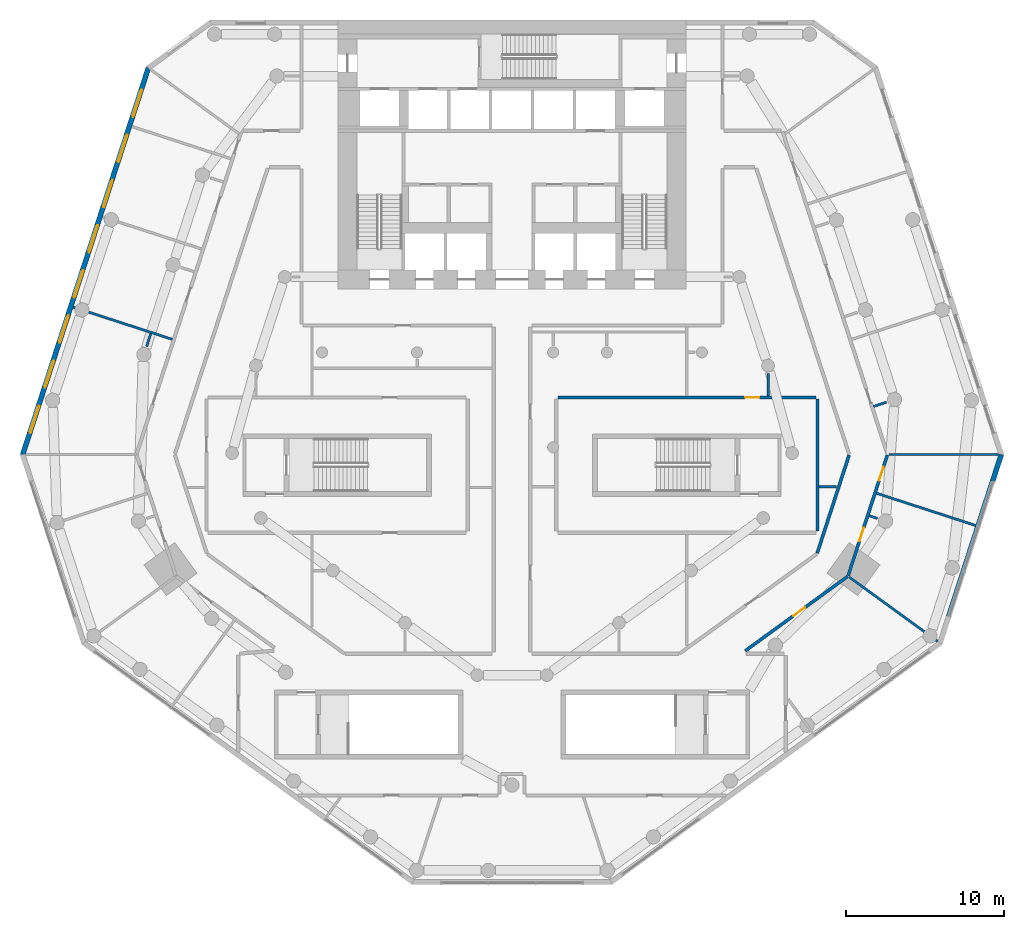
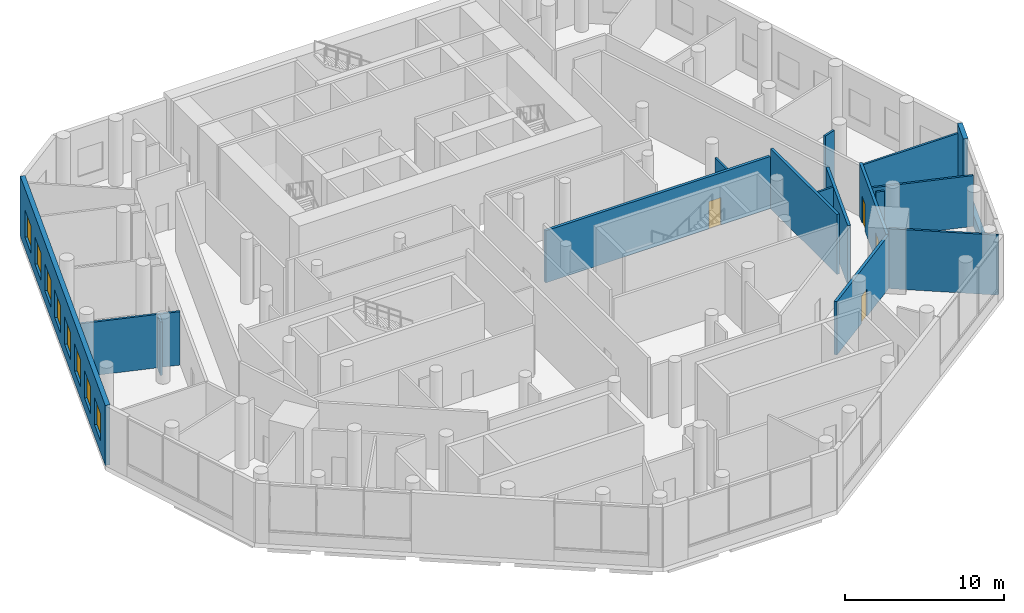
# One storey, part 9 of 15: 17 walls, 8 windows, 4 doors, 12 openings.
"""IFC4 building model written with IfcOpenShell, lengths in metres."""

from ifc_helpers import new_model, si_unit, direction, frame, frame_2d, origin, place, context, subcontext, project, spatial, rectangle, extrude, material, layer, layer_set, type_object, element, fill, save


model = new_model("IFC4")

# Units and contexts
model_context = context("Model", 3, precision=1e-05, world=origin(), true_north=direction((0.0, 1.0)))
body_context = subcontext(model_context, "Body", "Model", "MODEL_VIEW")
ifc_project = project(units=[si_unit("LENGTHUNIT", "METRE"), si_unit("AREAUNIT", "SQUARE_METRE"), si_unit("VOLUMEUNIT", "CUBIC_METRE"), si_unit("PLANEANGLEUNIT", "RADIAN"), si_unit("MASSUNIT", "GRAM", prefix="KILO")], contexts=[model_context])

# Site, building, storey
site_placement = place(None, origin())
site = spatial("IfcSite", under=ifc_project, at=site_placement, CompositionType="ELEMENT")
building_placement = place(site_placement, origin())
building = spatial("IfcBuilding", under=site, at=building_placement, Name="White Candle Pilgrim Tower", CompositionType="ELEMENT")
storey_placement = place(building_placement, frame((0.0, 0.0, 34.0)))
storey = spatial("IfcBuildingStorey", under=building, at=storey_placement, Name="L05", CompositionType="ELEMENT", Elevation=34.0)

# Wall, openings, doors
ifc_material_1 = material(Name="Gypsum board on steel studs", Category="steel")
ifc_layer_1 = layer(ifc_material_1, 0.199951171875)
ifc_layer_set_1 = layer_set([ifc_layer_1], Name="Corridor wall 200 mm EI 45")
wall_type_1 = type_object("IfcWallType", Name="Corridor wall 200 mm EI 45", PredefinedType="PARTITIONING", material=ifc_layer_set_1)
wall_1_placement = place(storey_placement, frame((93.720947265625, 60.50830078125, 0.0), z_axis=(0.0, 0.0, 1.0), x_axis=(-0.309030308026, -0.951052190325, 0.0)))
wall_1 = element("IfcWall", 1, at=wall_1_placement, inside=storey, type_object=wall_type_1, Name="WL-L05-P011", PredefinedType="PARTITIONING", context=body_context, shape_type="SweptSolid", body=[
    extrude(rectangle(XDim=8.018798828125, YDim=0.199951171875, at=frame_2d((4.00927734375, 0.0))), origin(), (0.0, 0.0, 1.0), 4.10009765625),
])
opening_1_placement = place(wall_1_placement, frame((4.830078125, 0.0, 0.0)))
opening_1 = element("IfcOpeningElement", 2, at=opening_1_placement, cuts=wall_1, Name="Opening L05-114", PredefinedType="OPENING", context=body_context, shape_type="SweptSolid", body=[
    extrude(rectangle(XDim=0.89990234375, YDim=2.10009765625, at=frame_2d((0.449951171875, 1.050048828125))), frame((0.0, 0.10986328125, 0.0), z_axis=(0.0, -1.0, 0.0), x_axis=(1.0, 0.0, 0.0)), (0.0, 0.0, 1.0), 0.219970703125),
])
opening_2_placement = place(wall_1_placement, frame((0.788330078125, 0.0, 0.0)))
opening_2 = element("IfcOpeningElement", 3, at=opening_2_placement, cuts=wall_1, Name="Opening L05-115", PredefinedType="OPENING", context=body_context, shape_type="SweptSolid", body=[
    extrude(rectangle(XDim=0.89990234375, YDim=2.10009765625, at=frame_2d((0.449951171875, 1.050048828125))), frame((0.0, 0.10986328125, 0.0), z_axis=(0.0, -1.0, 0.0), x_axis=(1.0, 0.0, 0.0)), (0.0, 0.0, 1.0), 0.219970703125),
])
ifc_material_2 = material(Name="Steel door leaf", Category="steel")
door_type = type_object("IfcDoorType", Name="Fire door 900 x 2100 EI 30", OperationType="NOTDEFINED", PredefinedType="DOOR", material=ifc_material_2)
door_1_placement = place(opening_1_placement, origin())
door_1 = element("IfcDoor", 4, at=door_1_placement, inside=storey, type_object=door_type, Name="Door L05-114", OperationType="SINGLE_SWING_RIGHT", OverallHeight=2.10009765625, OverallWidth=0.89990234375, PredefinedType="DOOR", context=body_context, shape_type="SweptSolid", body=[
    extrude(rectangle(XDim=0.89990234375, YDim=2.10009765625, at=frame_2d((0.449951171875, 1.050048828125))), frame((0.0, 0.02490234375, 0.0), z_axis=(0.0, -1.0, 0.0), x_axis=(1.0, 0.0, 0.0)), (0.0, 0.0, 1.0), 0.050048828125),
])
fill(opening_1, door_1)
door_2_placement = place(opening_2_placement, origin())
door_2 = element("IfcDoor", 5, at=door_2_placement, inside=storey, type_object=door_type, Name="Door L05-115", OperationType="SINGLE_SWING_LEFT", OverallHeight=2.10009765625, OverallWidth=0.89990234375, PredefinedType="DOOR", context=body_context, shape_type="SweptSolid", body=[
    extrude(rectangle(XDim=0.89990234375, YDim=2.10009765625, at=frame_2d((0.449951171875, 1.050048828125))), frame((0.0, 0.02490234375, 0.0), z_axis=(0.0, -1.0, 0.0), x_axis=(1.0, 0.0, 0.0)), (0.0, 0.0, 1.0), 0.050048828125),
])
fill(opening_2, door_2)

# Wall, opening, door
wall_2_placement = place(storey_placement, frame((91.206787109375, 52.83203125, 0.0), z_axis=(0.0, 0.0, 1.0), x_axis=(-0.809021104528, -0.58777959511, 0.0)))
wall_2 = element("IfcWall", 6, at=wall_2_placement, inside=storey, type_object=wall_type_1, Name="WL-L05-P012", PredefinedType="PARTITIONING", context=body_context, shape_type="SweptSolid", body=[
    extrude(rectangle(XDim=7.998291015625, YDim=0.199951171875, at=frame_2d((3.9990234375, 0.0))), origin(), (0.0, 0.0, 1.0), 4.10009765625),
])
opening_3_placement = place(wall_2_placement, frame((3.329833984375, 0.0, 0.0)))
opening_3 = element("IfcOpeningElement", 7, at=opening_3_placement, cuts=wall_2, Name="Opening L05-113", PredefinedType="OPENING", context=body_context, shape_type="SweptSolid", body=[
    extrude(rectangle(XDim=0.89990234375, YDim=2.10009765625, at=frame_2d((0.449951171875, 1.050048828125))), frame((0.0, 0.10986328125, 0.0), z_axis=(0.0, -1.0, 0.0), x_axis=(1.0, 0.0, 0.0)), (0.0, 0.0, 1.0), 0.219970703125),
])
door_3_placement = place(opening_3_placement, origin())
door_3 = element("IfcDoor", 8, at=door_3_placement, inside=storey, type_object=door_type, Name="Door L05-113", OperationType="SINGLE_SWING_LEFT", OverallHeight=2.10009765625, OverallWidth=0.89990234375, PredefinedType="DOOR", context=body_context, shape_type="SweptSolid", body=[
    extrude(rectangle(XDim=0.89990234375, YDim=2.10009765625, at=frame_2d((0.449951171875, 1.050048828125))), frame((0.0, 0.02490234375, 0.0), z_axis=(0.0, -1.0, 0.0), x_axis=(1.0, 0.0, 0.0)), (0.0, 0.0, 1.0), 0.050048828125),
])
fill(opening_3, door_3)

# Wall
wall_3_placement = place(storey_placement, frame((89.28662109375, 54.3037109375, 0.0), z_axis=(0.0, 0.0, 1.0), x_axis=(0.308999759659, 0.951062116021, 0.0)))
element("IfcWall", 9, at=wall_3_placement, inside=storey, type_object=wall_type_1, Name="WL-L05-P020", PredefinedType="PARTITIONING", context=body_context, shape_type="SweptSolid", body=[
    extrude(rectangle(XDim=6.52392578125, YDim=0.199951171875, at=frame_2d((3.261962890625, 0.0))), origin(), (0.0, 0.0, 1.0), 4.60009765625),
])

# Wall, opening, door
wall_4_placement = place(storey_placement, frame((72.89990234375, 64.14990234375, 0.0), z_axis=(0.0, 0.0, 1.0), x_axis=(1.0, 0.0, 0.0)))
wall_4 = element("IfcWall", 10, at=wall_4_placement, inside=storey, type_object=wall_type_1, Name="WL-L05-P036", PredefinedType="PARTITIONING", context=body_context, shape_type="SweptSolid", body=[
    extrude(rectangle(XDim=16.300048828125, YDim=0.199951171875, at=frame_2d((8.14990234375, 0.0))), origin(), (0.0, 0.0, 1.0), 4.0),
])
opening_4_placement = place(wall_4_placement, frame((11.82666015625, 0.0, 0.0)))
opening_4 = element("IfcOpeningElement", 11, at=opening_4_placement, cuts=wall_4, Name="Opening L05-127", PredefinedType="OPENING", context=body_context, shape_type="SweptSolid", body=[
    extrude(rectangle(XDim=0.89990234375, YDim=2.10009765625, at=frame_2d((0.449951171875, 1.050048828125))), frame((0.0, 0.10986328125, 0.0), z_axis=(0.0, -1.0, 0.0), x_axis=(1.0, 0.0, 0.0)), (0.0, 0.0, 1.0), 0.219970703125),
])
door_4_placement = place(opening_4_placement, origin())
door_4 = element("IfcDoor", 12, at=door_4_placement, inside=storey, type_object=door_type, Name="Door L05-127", OperationType="SINGLE_SWING_LEFT", OverallHeight=2.10009765625, OverallWidth=0.89990234375, PredefinedType="DOOR", context=body_context, shape_type="SweptSolid", body=[
    extrude(rectangle(XDim=0.89990234375, YDim=2.10009765625, at=frame_2d((0.449951171875, 1.050048828125))), frame((0.0, 0.02490234375, 0.0), z_axis=(0.0, -1.0, 0.0), x_axis=(1.0, 0.0, 0.0)), (0.0, 0.0, 1.0), 0.050048828125),
])
fill(opening_4, door_4)

# Walls
wall_5_placement = place(storey_placement, frame((89.300048828125, 64.050048828125, 0.0), z_axis=(0.0, 0.0, 1.0), x_axis=(0.0, -1.0, 0.0)))
element("IfcWall", 13, at=wall_5_placement, inside=storey, type_object=wall_type_1, Name="WL-L05-P037", PredefinedType="PARTITIONING", context=body_context, shape_type="SweptSolid", body=[
    extrude(rectangle(XDim=8.35009765625, YDim=0.199951171875, at=frame_2d((4.175048828125, 0.0))), origin(), (0.0, 0.0, 1.0), 4.60009765625),
])
ifc_material_3 = material(Name="Precast concrete C40/50", Category="concrete")
ifc_layer_2 = layer(ifc_material_3, 0.320068359375)
ifc_layer_set_2 = layer_set([ifc_layer_2], Name="Facade wall EW3 precast concrete C40/50 and stone-faced podium wall")
wall_type_2 = type_object("IfcWallType", Name="Facade wall EW3 precast concrete C40/50 and stone-faced podium wall", PredefinedType="SOLIDWALL", material=ifc_layer_set_2)
wall_6_placement = place(storey_placement, frame((97.5966796875, 50.3017578125, 0.0), z_axis=(0.0, 0.0, 1.0), x_axis=(0.309000197986, 0.951061973609, 0.0)))
element("IfcWall", 14, at=wall_6_placement, inside=storey, type_object=wall_type_2, Name="Sill wall L05 E chamfer", PredefinedType="SOLIDWALL", context=body_context, shape_type="SweptSolid", body=[
    extrude(rectangle(XDim=9.0, YDim=0.320068359375, at=frame_2d((4.5, 0.0))), origin(), (0.0, 0.0, 1.0), 0.89990234375),
])
wall_7_placement = place(storey_placement, frame((100.377685546875, 58.861328125, 0.0), z_axis=(0.0, 0.0, 1.0), x_axis=(0.309036002497, 0.951050339972, 0.0)))
element("IfcWall", 15, at=wall_7_placement, inside=storey, type_object=wall_type_2, Name="Facade wall L05 E chamfer", PredefinedType="SOLIDWALL", context=body_context, shape_type="SweptSolid", body=[
    extrude(rectangle(XDim=1.76416015625, YDim=0.320068359375, at=frame_2d((0.882080078125, 0.0))), origin(), (0.0, 0.0, 1.0), 4.60009765625),
])

# Wall, openings, windows
wall_8_placement = place(storey_placement, frame((47.01708984375, 84.975830078125, 0.0), z_axis=(0.0, 0.0, 1.0), x_axis=(-0.309015385889, -0.951057038922, 0.0)))
wall_8 = element("IfcWall", 16, at=wall_8_placement, inside=storey, type_object=wall_type_2, Name="Facade wall L05 WNW", PredefinedType="SOLIDWALL", context=body_context, shape_type="SweptSolid", body=[
    extrude(rectangle(XDim=25.6943359375, YDim=0.320068359375, at=frame_2d((12.84716796875, 0.0))), origin(), (0.0, 0.0, 1.0), 4.60009765625),
])
opening_5_placement = place(wall_8_placement, frame((1.447265625, 0.0, 0.89990234375)))
opening_5 = element("IfcOpeningElement", 17, at=opening_5_placement, cuts=wall_8, Name="Opening W8", PredefinedType="OPENING", context=body_context, shape_type="SweptSolid", body=[
    extrude(rectangle(XDim=1.800048828125, YDim=2.10009765625, at=frame_2d((0.89990234375, 1.050048828125))), frame((0.0, 0.169921875, 0.0), z_axis=(0.0, -1.0, 0.0), x_axis=(1.0, 0.0, 0.0)), (0.0, 0.0, 1.0), 0.340087890625),
])
opening_6_placement = place(wall_8_placement, frame((4.447265625, 0.0, 0.89990234375)))
opening_6 = element("IfcOpeningElement", 18, at=opening_6_placement, cuts=wall_8, Name="Opening W8", PredefinedType="OPENING", context=body_context, shape_type="SweptSolid", body=[
    extrude(rectangle(XDim=1.800048828125, YDim=2.10009765625, at=frame_2d((0.89990234375, 1.050048828125))), frame((0.0, 0.169921875, 0.0), z_axis=(0.0, -1.0, 0.0), x_axis=(1.0, 0.0, 0.0)), (0.0, 0.0, 1.0), 0.340087890625),
])
opening_7_placement = place(wall_8_placement, frame((7.447265625, 0.0, 0.89990234375)))
opening_7 = element("IfcOpeningElement", 19, at=opening_7_placement, cuts=wall_8, Name="Opening W8", PredefinedType="OPENING", context=body_context, shape_type="SweptSolid", body=[
    extrude(rectangle(XDim=1.800048828125, YDim=2.10009765625, at=frame_2d((0.89990234375, 1.050048828125))), frame((0.0, 0.169921875, 0.0), z_axis=(0.0, -1.0, 0.0), x_axis=(1.0, 0.0, 0.0)), (0.0, 0.0, 1.0), 0.340087890625),
])
opening_8_placement = place(wall_8_placement, frame((10.447265625, 0.0, 0.89990234375)))
opening_8 = element("IfcOpeningElement", 20, at=opening_8_placement, cuts=wall_8, Name="Opening W8", PredefinedType="OPENING", context=body_context, shape_type="SweptSolid", body=[
    extrude(rectangle(XDim=1.800048828125, YDim=2.10009765625, at=frame_2d((0.89990234375, 1.050048828125))), frame((0.0, 0.169921875, 0.0), z_axis=(0.0, -1.0, 0.0), x_axis=(1.0, 0.0, 0.0)), (0.0, 0.0, 1.0), 0.340087890625),
])
opening_9_placement = place(wall_8_placement, frame((13.447265625, 0.0, 0.89990234375)))
opening_9 = element("IfcOpeningElement", 21, at=opening_9_placement, cuts=wall_8, Name="Opening W8", PredefinedType="OPENING", context=body_context, shape_type="SweptSolid", body=[
    extrude(rectangle(XDim=1.800048828125, YDim=2.10009765625, at=frame_2d((0.89990234375, 1.050048828125))), frame((0.0, 0.169921875, 0.0), z_axis=(0.0, -1.0, 0.0), x_axis=(1.0, 0.0, 0.0)), (0.0, 0.0, 1.0), 0.340087890625),
])
opening_10_placement = place(wall_8_placement, frame((16.447265625, 0.0, 0.89990234375)))
opening_10 = element("IfcOpeningElement", 22, at=opening_10_placement, cuts=wall_8, Name="Opening W8", PredefinedType="OPENING", context=body_context, shape_type="SweptSolid", body=[
    extrude(rectangle(XDim=1.800048828125, YDim=2.10009765625, at=frame_2d((0.89990234375, 1.050048828125))), frame((0.0, 0.169921875, 0.0), z_axis=(0.0, -1.0, 0.0), x_axis=(1.0, 0.0, 0.0)), (0.0, 0.0, 1.0), 0.340087890625),
])
opening_11_placement = place(wall_8_placement, frame((19.447265625, 0.0, 0.89990234375)))
opening_11 = element("IfcOpeningElement", 23, at=opening_11_placement, cuts=wall_8, Name="Opening W8", PredefinedType="OPENING", context=body_context, shape_type="SweptSolid", body=[
    extrude(rectangle(XDim=1.800048828125, YDim=2.10009765625, at=frame_2d((0.89990234375, 1.050048828125))), frame((0.0, 0.169921875, 0.0), z_axis=(0.0, -1.0, 0.0), x_axis=(1.0, 0.0, 0.0)), (0.0, 0.0, 1.0), 0.340087890625),
])
opening_12_placement = place(wall_8_placement, frame((22.447265625, 0.0, 0.89990234375)))
opening_12 = element("IfcOpeningElement", 24, at=opening_12_placement, cuts=wall_8, Name="Opening W8", PredefinedType="OPENING", context=body_context, shape_type="SweptSolid", body=[
    extrude(rectangle(XDim=1.800048828125, YDim=2.10009765625, at=frame_2d((0.89990234375, 1.050048828125))), frame((0.0, 0.169921875, 0.0), z_axis=(0.0, -1.0, 0.0), x_axis=(1.0, 0.0, 0.0)), (0.0, 0.0, 1.0), 0.340087890625),
])
ifc_material_4 = material(Name="Timber frame with triple glazing", Category="wood")
window_type = type_object("IfcWindowType", Name="Window W8 1800x2100 timber frame triple glazing", PartitioningType="SINGLE_PANEL", PredefinedType="WINDOW", material=ifc_material_4)
window_1_placement = place(opening_5_placement, origin())
window_1 = element("IfcWindow", 25, at=window_1_placement, inside=storey, type_object=window_type, Name="Window W8 L05 WNW 1", OverallHeight=2.10009765625, OverallWidth=1.800048828125, PartitioningType="SINGLE_PANEL", PredefinedType="WINDOW", context=body_context, shape_type="SweptSolid", body=[
    extrude(rectangle(XDim=1.800048828125, YDim=2.10009765625, at=frame_2d((0.89990234375, 1.050048828125))), frame((0.0, 0.070068359375, 0.0), z_axis=(0.0, -1.0, 0.0), x_axis=(1.0, 0.0, 0.0)), (0.0, 0.0, 1.0), 0.06005859375),
])
fill(opening_5, window_1)
window_2_placement = place(opening_6_placement, origin())
window_2 = element("IfcWindow", 26, at=window_2_placement, inside=storey, type_object=window_type, Name="Window W8 L05 WNW 2", OverallHeight=2.10009765625, OverallWidth=1.800048828125, PartitioningType="SINGLE_PANEL", PredefinedType="WINDOW", context=body_context, shape_type="SweptSolid", body=[
    extrude(rectangle(XDim=1.800048828125, YDim=2.10009765625, at=frame_2d((0.89990234375, 1.050048828125))), frame((0.0, 0.070068359375, 0.0), z_axis=(0.0, -1.0, 0.0), x_axis=(1.0, 0.0, 0.0)), (0.0, 0.0, 1.0), 0.06005859375),
])
fill(opening_6, window_2)
window_3_placement = place(opening_7_placement, origin())
window_3 = element("IfcWindow", 27, at=window_3_placement, inside=storey, type_object=window_type, Name="Window W8 L05 WNW 3", OverallHeight=2.10009765625, OverallWidth=1.800048828125, PartitioningType="SINGLE_PANEL", PredefinedType="WINDOW", context=body_context, shape_type="SweptSolid", body=[
    extrude(rectangle(XDim=1.800048828125, YDim=2.10009765625, at=frame_2d((0.89990234375, 1.050048828125))), frame((0.0, 0.070068359375, 0.0), z_axis=(0.0, -1.0, 0.0), x_axis=(1.0, 0.0, 0.0)), (0.0, 0.0, 1.0), 0.06005859375),
])
fill(opening_7, window_3)
window_4_placement = place(opening_8_placement, origin())
window_4 = element("IfcWindow", 28, at=window_4_placement, inside=storey, type_object=window_type, Name="Window W8 L05 WNW 4", OverallHeight=2.10009765625, OverallWidth=1.800048828125, PartitioningType="SINGLE_PANEL", PredefinedType="WINDOW", context=body_context, shape_type="SweptSolid", body=[
    extrude(rectangle(XDim=1.800048828125, YDim=2.10009765625, at=frame_2d((0.89990234375, 1.050048828125))), frame((0.0, 0.070068359375, 0.0), z_axis=(0.0, -1.0, 0.0), x_axis=(1.0, 0.0, 0.0)), (0.0, 0.0, 1.0), 0.06005859375),
])
fill(opening_8, window_4)
window_5_placement = place(opening_9_placement, origin())
window_5 = element("IfcWindow", 29, at=window_5_placement, inside=storey, type_object=window_type, Name="Window W8 L05 WNW 5", OverallHeight=2.10009765625, OverallWidth=1.800048828125, PartitioningType="SINGLE_PANEL", PredefinedType="WINDOW", context=body_context, shape_type="SweptSolid", body=[
    extrude(rectangle(XDim=1.800048828125, YDim=2.10009765625, at=frame_2d((0.89990234375, 1.050048828125))), frame((0.0, 0.070068359375, 0.0), z_axis=(0.0, -1.0, 0.0), x_axis=(1.0, 0.0, 0.0)), (0.0, 0.0, 1.0), 0.06005859375),
])
fill(opening_9, window_5)
window_6_placement = place(opening_10_placement, origin())
window_6 = element("IfcWindow", 30, at=window_6_placement, inside=storey, type_object=window_type, Name="Window W8 L05 WNW 6", OverallHeight=2.10009765625, OverallWidth=1.800048828125, PartitioningType="SINGLE_PANEL", PredefinedType="WINDOW", context=body_context, shape_type="SweptSolid", body=[
    extrude(rectangle(XDim=1.800048828125, YDim=2.10009765625, at=frame_2d((0.89990234375, 1.050048828125))), frame((0.0, 0.070068359375, 0.0), z_axis=(0.0, -1.0, 0.0), x_axis=(1.0, 0.0, 0.0)), (0.0, 0.0, 1.0), 0.06005859375),
])
fill(opening_10, window_6)
window_7_placement = place(opening_11_placement, origin())
window_7 = element("IfcWindow", 31, at=window_7_placement, inside=storey, type_object=window_type, Name="Window W8 L05 WNW 7", OverallHeight=2.10009765625, OverallWidth=1.800048828125, PartitioningType="SINGLE_PANEL", PredefinedType="WINDOW", context=body_context, shape_type="SweptSolid", body=[
    extrude(rectangle(XDim=1.800048828125, YDim=2.10009765625, at=frame_2d((0.89990234375, 1.050048828125))), frame((0.0, 0.070068359375, 0.0), z_axis=(0.0, -1.0, 0.0), x_axis=(1.0, 0.0, 0.0)), (0.0, 0.0, 1.0), 0.06005859375),
])
fill(opening_11, window_7)
window_8_placement = place(opening_12_placement, origin())
window_8 = element("IfcWindow", 32, at=window_8_placement, inside=storey, type_object=window_type, Name="Window W8 L05 WNW 8", OverallHeight=2.10009765625, OverallWidth=1.800048828125, PartitioningType="SINGLE_PANEL", PredefinedType="WINDOW", context=body_context, shape_type="SweptSolid", body=[
    extrude(rectangle(XDim=1.800048828125, YDim=2.10009765625, at=frame_2d((0.89990234375, 1.050048828125))), frame((0.0, 0.070068359375, 0.0), z_axis=(0.0, -1.0, 0.0), x_axis=(1.0, 0.0, 0.0)), (0.0, 0.0, 1.0), 0.06005859375),
])
fill(opening_12, window_8)

# Walls
ifc_layer_3 = layer(ifc_material_1, 0.14990234375)
ifc_layer_set_3 = layer_set([ifc_layer_3], Name="Partition 150 mm EI 60")
wall_type_3 = type_object("IfcWallType", Name="Partition 150 mm EI 60", PredefinedType="PARTITIONING", material=ifc_layer_set_3)
wall_9_placement = place(storey_placement, frame((96.915283203125, 48.72265625, 0.0), z_axis=(0.0, 0.0, 1.0), x_axis=(-0.809006827345, 0.587799245754, 0.0)))
element("IfcWall", 33, at=wall_9_placement, inside=storey, type_object=wall_type_3, Name="WL-L05-P049", PredefinedType="PARTITIONING", context=body_context, shape_type="SweptSolid", body=[
    extrude(rectangle(XDim=6.938720703125, YDim=0.14990234375, at=frame_2d((3.46923828125, 0.0))), origin(), (0.0, 0.0, 1.0), 4.60009765625),
])
wall_10_placement = place(storey_placement, frame((100.754638671875, 60.539306640625, 0.0), z_axis=(0.0, 0.0, 1.0), x_axis=(-1.0, 0.0, 0.0)))
element("IfcWall", 34, at=wall_10_placement, inside=storey, type_object=wall_type_3, Name="WL-L05-P050", PredefinedType="PARTITIONING", context=body_context, shape_type="SweptSolid", body=[
    extrude(rectangle(XDim=6.938720703125, YDim=0.14990234375, at=frame_2d((3.46923828125, 0.0))), origin(), (0.0, 0.0, 1.0), 3.89990234375),
])
wall_11_placement = place(storey_placement, frame((42.272216796875, 69.85498046875, 0.0), z_axis=(0.0, 0.0, 1.0), x_axis=(0.951049337045, -0.309039088961, 0.0)))
element("IfcWall", 35, at=wall_11_placement, inside=storey, type_object=wall_type_3, Name="WL-L05-P054", PredefinedType="PARTITIONING", context=body_context, shape_type="SweptSolid", body=[
    extrude(rectangle(XDim=6.579833984375, YDim=0.14990234375, at=frame_2d((3.2900390625, 0.0))), origin(), (0.0, 0.0, 1.0), 4.10009765625),
])
wall_12_placement = place(storey_placement, frame((99.298583984375, 56.0576171875, 0.0), z_axis=(0.0, 0.0, 1.0), x_axis=(-0.951063784568, 0.308994624035, 0.0)))
element("IfcWall", 36, at=wall_12_placement, inside=storey, type_object=wall_type_3, Name="WL-L05-P059", PredefinedType="PARTITIONING", context=body_context, shape_type="SweptSolid", body=[
    extrude(rectangle(XDim=6.580078125, YDim=0.14990234375, at=frame_2d((3.2900390625, 0.0))), origin(), (0.0, 0.0, 1.0), 3.89990234375),
])
wall_13_placement = place(storey_placement, frame((89.39990234375, 58.493896484375, 0.0), z_axis=(0.0, 0.0, 1.0), x_axis=(1.0, 0.0, 0.0)))
element("IfcWall", 37, at=wall_13_placement, inside=storey, type_object=wall_type_3, Name="WL-L05-P070", PredefinedType="PARTITIONING", context=body_context, shape_type="SweptSolid", body=[
    extrude(rectangle(XDim=1.11865234375, YDim=0.14990234375, at=frame_2d((0.559326171875, 0.0))), origin(), (0.0, 0.0, 1.0), 4.60009765625),
])
wall_14_placement = place(storey_placement, frame((93.097900390625, 56.501220703125, 0.0), z_axis=(0.0, 0.0, 1.0), x_axis=(-0.951027493825, 0.309106302085, 0.0)))
element("IfcWall", 38, at=wall_14_placement, inside=storey, type_object=wall_type_3, Name="WL-L05-P073", PredefinedType="PARTITIONING", context=body_context, shape_type="SweptSolid", body=[
    extrude(rectangle(XDim=0.545654296875, YDim=0.14990234375, at=frame_2d((0.27294921875, 0.0))), origin(), (0.0, 0.0, 1.0), 4.60009765625),
])
wall_15_placement = place(storey_placement, frame((93.66796875, 63.848876953125, 0.0), z_axis=(0.0, 0.0, 1.0), x_axis=(-0.951061098376, -0.309002891826, 0.0)))
element("IfcWall", 39, at=wall_15_placement, inside=storey, type_object=wall_type_3, Name="WL-L05-P074", PredefinedType="PARTITIONING", context=body_context, shape_type="SweptSolid", body=[
    extrude(rectangle(XDim=0.86279296875, YDim=0.14990234375, at=frame_2d((0.431396484375, 0.0))), origin(), (0.0, 0.0, 1.0), 4.60009765625),
])
wall_16_placement = place(storey_placement, frame((46.9111328125, 67.3720703125, 0.0), z_axis=(0.0, 0.0, 1.0), x_axis=(0.309176694926, 0.951004611616, 0.0)))
element("IfcWall", 40, at=wall_16_placement, inside=storey, type_object=wall_type_3, Name="WL-L05-P081", PredefinedType="PARTITIONING", context=body_context, shape_type="SweptSolid", body=[
    extrude(rectangle(XDim=0.852783203125, YDim=0.14990234375, at=frame_2d((0.42626953125, 0.0))), origin(), (0.0, 0.0, 1.0), 4.10009765625),
])
wall_17_placement = place(storey_placement, frame((86.182373046875, 65.669921875, 0.0), z_axis=(0.0, 0.0, 1.0), x_axis=(0.0, -1.0, 0.0)))
element("IfcWall", 41, at=wall_17_placement, inside=storey, type_object=wall_type_3, Name="WL-L05-P085", PredefinedType="PARTITIONING", context=body_context, shape_type="SweptSolid", body=[
    extrude(rectangle(XDim=1.419921875, YDim=0.14990234375, at=frame_2d((0.7099609375, 0.0))), origin(), (0.0, 0.0, 1.0), 4.0),
])

save(model, "model.ifc")
